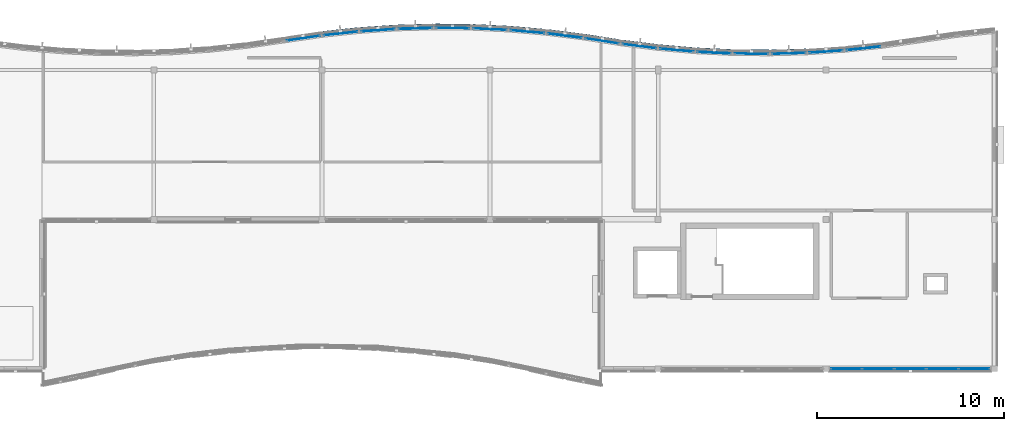
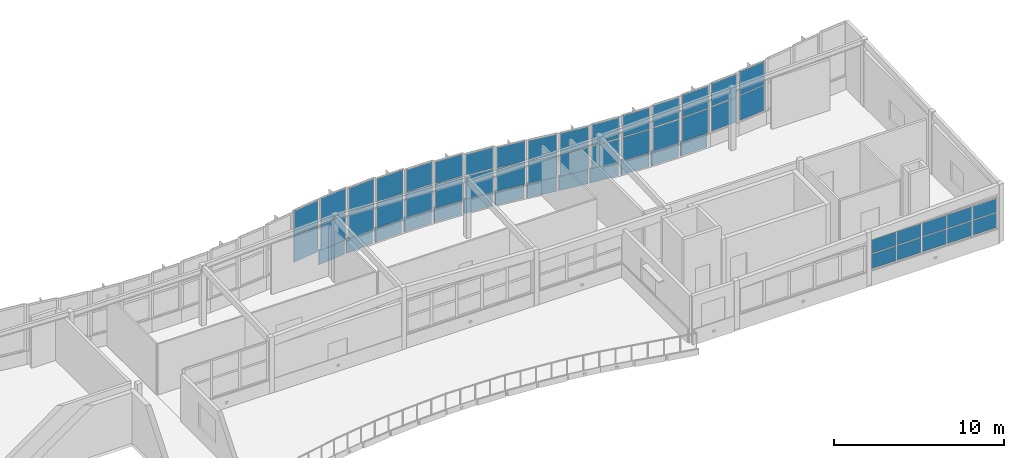
# One storey, part 12 of 20: 55 plates, 17 elements without a shape of their own.
"""IFC4 building model written with IfcOpenShell, lengths in metres."""

from ifc_helpers import new_model, si_unit, direction, frame, origin, origin_2d, place, context, subcontext, project, spatial, rectangle, extrude, material, layer, layer_set, type_object, element, aggregate, save


model = new_model("IFC4")

# Units and contexts
model_context = context("Model", 3, precision=1e-05, world=origin(), true_north=direction((0.0, 1.0)))
body_context = subcontext(model_context, "Body", "Model", "MODEL_VIEW")
ifc_project = project(units=[si_unit("LENGTHUNIT", "METRE"), si_unit("AREAUNIT", "SQUARE_METRE"), si_unit("VOLUMEUNIT", "CUBIC_METRE"), si_unit("PLANEANGLEUNIT", "RADIAN"), si_unit("MASSUNIT", "GRAM", prefix="KILO")], contexts=[model_context])

# Site, building, storey
site_placement = place(None, origin())
site = spatial("IfcSite", under=ifc_project, at=site_placement, CompositionType="ELEMENT")
building_placement = place(site_placement, origin())
building = spatial("IfcBuilding", under=site, at=building_placement, Name="Tonlespit Floodbar School", CompositionType="ELEMENT")
storey_placement = place(building_placement, frame((0.0, 0.0, 20.10009765625)))
storey = spatial("IfcBuildingStorey", under=building, at=storey_placement, Name="L05", CompositionType="ELEMENT", Elevation=20.10009765625)

# Curtain wall, plates
ifc_material_1 = material(Name="Anodised Aluminium", Category="aluminium")
ifc_layer_1 = layer(ifc_material_1, 0.159912109375)
ifc_layer_set_1 = layer_set([ifc_layer_1], Name="Anodised Aluminium")
curtain_wall_type_1 = type_object("IfcCurtainWallType", Name="CurtainWall_1950x3800", PredefinedType="NOTDEFINED", material=ifc_layer_set_1)
curtain_wall_1_placement = place(storey_placement, origin())
curtain_wall_1 = element("IfcCurtainWall", 1, at=curtain_wall_1_placement, inside=storey, type_object=curtain_wall_type_1, Name="L05 unitised curtain wall 0225", PredefinedType="NOTDEFINED")
ifc_material_2 = material(Name="Laminated Low-E Glass", Category="glass")
ifc_layer_2 = layer(ifc_material_2, 0.028076171875)
ifc_layer_set_2 = layer_set([ifc_layer_2], Name="Laminated Low-E Glass")
plate_type_1 = type_object("IfcPlateType", Name="CW_Panel_Glaz_28", PredefinedType="CURTAIN_PANEL", material=ifc_layer_set_2)
plate_1_placement = place(storey_placement, frame((79.0, 121.69580078125, 1.014892578125), z_axis=(0.0, 0.0, 1.0), x_axis=(0.989541561858, 0.144248041079, 0.0)))
plate_1 = element("IfcPlate", 2, at=plate_1_placement, type_object=plate_type_1, Name="CW-10 panel 1.1", PredefinedType="CURTAIN_PANEL", context=body_context, shape_type="SweptSolid", body=[
    extrude(rectangle(XDim=1.81103515625, YDim=0.028076171875, at=origin_2d()), origin(), (0.0, 0.0, 1.0), 1.88916015625),
])
plate_2_placement = place(storey_placement, frame((79.0, 121.69580078125, 2.96923828125), z_axis=(0.0, 0.0, 1.0), x_axis=(0.989541561858, 0.144248041079, 0.0)))
plate_2 = element("IfcPlate", 3, at=plate_2_placement, type_object=plate_type_1, Name="CW-10 panel 1.2", PredefinedType="CURTAIN_PANEL", context=body_context, shape_type="SweptSolid", body=[
    extrude(rectangle(XDim=1.81103515625, YDim=0.028076171875, at=origin_2d()), origin(), (0.0, 0.0, 1.0), 1.736083984375),
])
aggregate(curtain_wall_1, [plate_1, plate_2])

ifc_layer_3 = layer(ifc_material_1, 0.159912109375)
ifc_layer_set_3 = layer_set([ifc_layer_3], Name="Anodised Aluminium")
curtain_wall_type_2 = type_object("IfcCurtainWallType", Name="CurtainWall_1900x3550", PredefinedType="NOTDEFINED", material=ifc_layer_set_3)
curtain_wall_2_placement = place(storey_placement, origin())
curtain_wall_2 = element("IfcCurtainWall", 4, at=curtain_wall_2_placement, inside=storey, type_object=curtain_wall_type_2, Name="L05 unitised curtain wall 0229", PredefinedType="NOTDEFINED")
plate_3_placement = place(storey_placement, frame((87.0, 122.2373046875, 1.014892578125), z_axis=(0.0, 0.0, 1.0), x_axis=(0.999954083024, -0.009582893292, 0.0)))
plate_3 = element("IfcPlate", 5, at=plate_3_placement, type_object=plate_type_1, Name="CW-14 panel 1.1", PredefinedType="CURTAIN_PANEL", context=body_context, shape_type="SweptSolid", body=[
    extrude(rectangle(XDim=1.7900390625, YDim=0.028076171875, at=origin_2d()), origin(), (0.0, 0.0, 1.0), 1.75048828125),
])
plate_4_placement = place(storey_placement, frame((87.0, 122.2373046875, 2.83056640625), z_axis=(0.0, 0.0, 1.0), x_axis=(0.999954083024, -0.009582893292, 0.0)))
plate_4 = element("IfcPlate", 6, at=plate_4_placement, type_object=plate_type_1, Name="CW-14 panel 1.2", PredefinedType="CURTAIN_PANEL", context=body_context, shape_type="SweptSolid", body=[
    extrude(rectangle(XDim=1.7900390625, YDim=0.028076171875, at=origin_2d()), origin(), (0.0, 0.0, 1.0), 1.608154296875),
])
aggregate(curtain_wall_2, [plate_3, plate_4])

ifc_layer_4 = layer(ifc_material_1, 0.159912109375)
ifc_layer_set_4 = layer_set([ifc_layer_4], Name="Anodised Aluminium")
curtain_wall_type_3 = type_object("IfcCurtainWallType", Name="CurtainWall_1950x3200", PredefinedType="NOTDEFINED", material=ifc_layer_set_4)
curtain_wall_3_placement = place(storey_placement, origin())
curtain_wall_3 = element("IfcCurtainWall", 7, at=curtain_wall_3_placement, inside=storey, type_object=curtain_wall_type_3, Name="L05 unitised curtain wall 0233", PredefinedType="NOTDEFINED")
plate_5_placement = place(storey_placement, frame((95.0, 121.550048828125, 1.014892578125), z_axis=(0.0, 0.0, 1.0), x_axis=(0.988102576465, -0.153796288585, 0.0)))
plate_5 = element("IfcPlate", 8, at=plate_5_placement, type_object=plate_type_1, Name="CW-17 panel 1.1", PredefinedType="CURTAIN_PANEL", context=body_context, shape_type="SweptSolid", body=[
    extrude(rectangle(XDim=1.814208984375, YDim=0.028076171875, at=origin_2d()), origin(), (0.0, 0.0, 1.0), 1.5712890625),
])
plate_6_placement = place(storey_placement, frame((95.0, 121.550048828125, 2.651123046875), z_axis=(0.0, 0.0, 1.0), x_axis=(0.988102576465, -0.153796288585, 0.0)))
plate_6 = element("IfcPlate", 9, at=plate_6_placement, type_object=plate_type_1, Name="CW-17 panel 1.2", PredefinedType="CURTAIN_PANEL", context=body_context, shape_type="SweptSolid", body=[
    extrude(rectangle(XDim=1.814208984375, YDim=0.028076171875, at=origin_2d()), origin(), (0.0, 0.0, 1.0), 1.44287109375),
])
aggregate(curtain_wall_3, [plate_5, plate_6])

ifc_layer_5 = layer(ifc_material_1, 0.159912109375)
ifc_layer_set_5 = layer_set([ifc_layer_5], Name="Anodised Aluminium")
curtain_wall_type_4 = type_object("IfcCurtainWallType", Name="CurtainWall_1900x3400", PredefinedType="NOTDEFINED", material=ifc_layer_set_5)
curtain_wall_4_placement = place(storey_placement, origin())
curtain_wall_4 = element("IfcCurtainWall", 10, at=curtain_wall_4_placement, inside=storey, type_object=curtain_wall_type_4, Name="L05 unitised curtain wall 0237", PredefinedType="NOTDEFINED")
plate_7_placement = place(storey_placement, frame((103.0, 120.862548828125, 1.014892578125), z_axis=(0.0, 0.0, 1.0), x_axis=(0.999954083024, -0.009582893292, 0.0)))
plate_7 = element("IfcPlate", 11, at=plate_7_placement, type_object=plate_type_1, Name="CW-19 panel 1.1", PredefinedType="CURTAIN_PANEL", context=body_context, shape_type="SweptSolid", body=[
    extrude(rectangle(XDim=1.7900390625, YDim=0.028076171875, at=origin_2d()), origin(), (0.0, 0.0, 1.0), 1.673828125),
])
plate_8_placement = place(storey_placement, frame((103.0, 120.862548828125, 2.75390625), z_axis=(0.0, 0.0, 1.0), x_axis=(0.999954083024, -0.009582893292, 0.0)))
plate_8 = element("IfcPlate", 12, at=plate_8_placement, type_object=plate_type_1, Name="CW-19 panel 1.2", PredefinedType="CURTAIN_PANEL", context=body_context, shape_type="SweptSolid", body=[
    extrude(rectangle(XDim=1.7900390625, YDim=0.028076171875, at=origin_2d()), origin(), (0.0, 0.0, 1.0), 1.53759765625),
])
aggregate(curtain_wall_4, [plate_7, plate_8])

ifc_layer_6 = layer(ifc_material_1, 0.159912109375)
ifc_layer_set_6 = layer_set([ifc_layer_6], Name="Anodised Aluminium")
curtain_wall_type_5 = type_object("IfcCurtainWallType", Name="CurtainWall_1950x3850", PredefinedType="NOTDEFINED", material=ifc_layer_set_6)
curtain_wall_5_placement = place(storey_placement, origin())
curtain_wall_5 = element("IfcCurtainWall", 13, at=curtain_wall_5_placement, inside=storey, type_object=curtain_wall_type_5, Name="L05 unitised curtain wall 0226", PredefinedType="NOTDEFINED")
ifc_layer_7 = layer(ifc_material_2, 0.031982421875)
ifc_layer_set_7 = layer_set([ifc_layer_7], Name="Laminated Low-E Glass")
plate_type_2 = type_object("IfcPlateType", Name="CW_Panel_Glaz_32", PredefinedType="CURTAIN_PANEL", material=ifc_layer_set_7)
plate_9_placement = place(storey_placement, frame((81.0, 121.947998046875, 1.014892578125), z_axis=(0.0, 0.0, 1.0), x_axis=(0.994388797288, 0.105787143968, 0.0)))
plate_9 = element("IfcPlate", 14, at=plate_9_placement, type_object=plate_type_2, Name="CW-09 panel 1.1", PredefinedType="CURTAIN_PANEL", context=body_context, shape_type="SweptSolid", body=[
    extrude(rectangle(XDim=1.80126953125, YDim=0.031982421875, at=origin_2d()), origin(), (0.0, 0.0, 1.0), 1.900390625),
])
plate_10_placement = place(storey_placement, frame((81.0, 121.947998046875, 2.98046875), z_axis=(0.0, 0.0, 1.0), x_axis=(0.994388797288, 0.105787143968, 0.0)))
plate_10 = element("IfcPlate", 15, at=plate_10_placement, type_object=plate_type_2, Name="CW-09 panel 1.2", PredefinedType="CURTAIN_PANEL", context=body_context, shape_type="SweptSolid", body=[
    extrude(rectangle(XDim=1.80126953125, YDim=0.031982421875, at=origin_2d()), origin(), (0.0, 0.0, 1.0), 1.74658203125),
])
aggregate(curtain_wall_5, [plate_9, plate_10])

ifc_layer_8 = layer(ifc_material_1, 0.159912109375)
ifc_layer_set_8 = layer_set([ifc_layer_8], Name="Anodised Aluminium")
curtain_wall_type_6 = type_object("IfcCurtainWallType", Name="CurtainWall_1900x3450", PredefinedType="NOTDEFINED", material=ifc_layer_set_8)
curtain_wall_6_placement = place(storey_placement, origin())
curtain_wall_6 = element("IfcCurtainWall", 16, at=curtain_wall_6_placement, inside=storey, type_object=curtain_wall_type_6, Name="L05 unitised curtain wall 0230", PredefinedType="NOTDEFINED")
plate_11_placement = place(storey_placement, frame((89.0, 122.1796875, 1.0146484375), z_axis=(0.0, 0.0, 1.0), x_axis=(0.998841500616, -0.048121270216, 0.0)))
plate_11 = element("IfcPlate", 17, at=plate_11_placement, type_object=plate_type_2, Name="CW-23 panel 1.1", PredefinedType="CURTAIN_PANEL", context=body_context, shape_type="SweptSolid", body=[
    extrude(rectangle(XDim=1.792236328125, YDim=0.031982421875, at=origin_2d()), origin(), (0.0, 0.0, 1.0), 1.697021484375),
])
plate_12_placement = place(storey_placement, frame((89.0, 122.1796875, 2.77685546875), z_axis=(0.0, 0.0, 1.0), x_axis=(0.998841500616, -0.048121270216, 0.0)))
plate_12 = element("IfcPlate", 18, at=plate_12_placement, type_object=plate_type_2, Name="CW-23 panel 1.2", PredefinedType="CURTAIN_PANEL", context=body_context, shape_type="SweptSolid", body=[
    extrude(rectangle(XDim=1.792236328125, YDim=0.031982421875, at=origin_2d()), origin(), (0.0, 0.0, 1.0), 1.558837890625),
])
aggregate(curtain_wall_6, [plate_11, plate_12])

curtain_wall_7_placement = place(storey_placement, origin())
curtain_wall_7 = element("IfcCurtainWall", 19, at=curtain_wall_7_placement, inside=storey, type_object=curtain_wall_type_3, Name="L05 unitised curtain wall 0234", PredefinedType="NOTDEFINED")
plate_13_placement = place(storey_placement, frame((97.0, 121.268310546875, 1.014892578125), z_axis=(0.0, 0.0, 1.0), x_axis=(0.992155002499, -0.125013803299, 0.0)))
plate_13 = element("IfcPlate", 20, at=plate_13_placement, type_object=plate_type_2, Name="CW-17 panel 1.1", PredefinedType="CURTAIN_PANEL", context=body_context, shape_type="SweptSolid", body=[
    extrude(rectangle(XDim=1.805908203125, YDim=0.031982421875, at=origin_2d()), origin(), (0.0, 0.0, 1.0), 1.5712890625),
])
plate_14_placement = place(storey_placement, frame((97.0, 121.268310546875, 2.651123046875), z_axis=(0.0, 0.0, 1.0), x_axis=(0.992155002499, -0.125013803299, 0.0)))
plate_14 = element("IfcPlate", 21, at=plate_14_placement, type_object=plate_type_2, Name="CW-17 panel 1.2", PredefinedType="CURTAIN_PANEL", context=body_context, shape_type="SweptSolid", body=[
    extrude(rectangle(XDim=1.805908203125, YDim=0.031982421875, at=origin_2d()), origin(), (0.0, 0.0, 1.0), 1.44287109375),
])
aggregate(curtain_wall_7, [plate_13, plate_14])

ifc_layer_9 = layer(ifc_material_1, 0.159912109375)
ifc_layer_set_9 = layer_set([ifc_layer_9], Name="Anodised Aluminium")
curtain_wall_type_7 = type_object("IfcCurtainWallType", Name="CurtainWall_1900x3500", PredefinedType="NOTDEFINED", material=ifc_layer_set_9)
curtain_wall_8_placement = place(storey_placement, origin())
curtain_wall_8 = element("IfcCurtainWall", 22, at=curtain_wall_8_placement, inside=storey, type_object=curtain_wall_type_7, Name="L05 unitised curtain wall 0238", PredefinedType="NOTDEFINED")
plate_15_placement = place(storey_placement, frame((105.0, 120.8818359375, 1.01513671875), z_axis=(0.0, 0.0, 1.0), x_axis=(0.999585477883, 0.028790144226, 0.0)))
plate_15 = element("IfcPlate", 23, at=plate_15_placement, type_object=plate_type_2, Name="CW-20 panel 1.1", PredefinedType="CURTAIN_PANEL", context=body_context, shape_type="SweptSolid", body=[
    extrude(rectangle(XDim=1.790771484375, YDim=0.031982421875, at=origin_2d()), origin(), (0.0, 0.0, 1.0), 1.711669921875),
])
plate_16_placement = place(storey_placement, frame((105.0, 120.8818359375, 2.79150390625), z_axis=(0.0, 0.0, 1.0), x_axis=(0.999585477883, 0.028790144226, 0.0)))
plate_16 = element("IfcPlate", 24, at=plate_16_placement, type_object=plate_type_2, Name="CW-20 panel 1.2", PredefinedType="CURTAIN_PANEL", context=body_context, shape_type="SweptSolid", body=[
    extrude(rectangle(XDim=1.790771484375, YDim=0.031982421875, at=origin_2d()), origin(), (0.0, 0.0, 1.0), 1.572509765625),
])
aggregate(curtain_wall_8, [plate_15, plate_16])

ifc_layer_10 = layer(ifc_material_1, 0.159912109375)
ifc_layer_set_10 = layer_set([ifc_layer_10], Name="Anodised Aluminium")
curtain_wall_type_8 = type_object("IfcCurtainWallType", Name="CurtainWall_1900x3750", PredefinedType="NOTDEFINED", material=ifc_layer_set_10)
curtain_wall_9_placement = place(storey_placement, origin())
curtain_wall_9 = element("IfcCurtainWall", 25, at=curtain_wall_9_placement, inside=storey, type_object=curtain_wall_type_8, Name="L05 unitised curtain wall 0227", PredefinedType="NOTDEFINED")
ifc_layer_11 = layer(ifc_material_2, 0.035888671875)
ifc_layer_set_11 = layer_set([ifc_layer_11], Name="Laminated Low-E Glass")
plate_type_3 = type_object("IfcPlateType", Name="CW_Panel_Glaz_36", PredefinedType="CURTAIN_PANEL", material=ifc_layer_set_11)
plate_17_placement = place(storey_placement, frame((83.0, 122.121826171875, 1.014892578125), z_axis=(0.0, 0.0, 1.0), x_axis=(0.99773010165, 0.067339767311, 0.0)))
plate_17 = element("IfcPlate", 26, at=plate_17_placement, type_object=plate_type_3, Name="CW-11 panel 1.1", PredefinedType="CURTAIN_PANEL", context=body_context, shape_type="SweptSolid", body=[
    extrude(rectangle(XDim=1.794677734375, YDim=0.035888671875, at=origin_2d()), origin(), (0.0, 0.0, 1.0), 1.85205078125),
])
plate_18_placement = place(storey_placement, frame((83.0, 122.121826171875, 2.93212890625), z_axis=(0.0, 0.0, 1.0), x_axis=(0.99773010165, 0.067339767311, 0.0)))
plate_18 = element("IfcPlate", 27, at=plate_18_placement, type_object=plate_type_3, Name="CW-11 panel 1.2", PredefinedType="CURTAIN_PANEL", context=body_context, shape_type="SweptSolid", body=[
    extrude(rectangle(XDim=1.794677734375, YDim=0.035888671875, at=origin_2d()), origin(), (0.0, 0.0, 1.0), 1.7021484375),
])
aggregate(curtain_wall_9, [plate_17, plate_18])

ifc_layer_12 = layer(ifc_material_1, 0.159912109375)
ifc_layer_set_12 = layer_set([ifc_layer_12], Name="Anodised Aluminium")
curtain_wall_type_9 = type_object("IfcCurtainWallType", Name="CurtainWall_1950x3350", PredefinedType="NOTDEFINED", material=ifc_layer_set_12)
curtain_wall_10_placement = place(storey_placement, origin())
curtain_wall_10 = element("IfcCurtainWall", 28, at=curtain_wall_10_placement, inside=storey, type_object=curtain_wall_type_9, Name="L05 unitised curtain wall 0231", PredefinedType="NOTDEFINED")
plate_19_placement = place(storey_placement, frame((91.0, 122.044677734375, 1.014892578125), z_axis=(0.0, 0.0, 1.0), x_axis=(0.996249148412, -0.086531117454, 0.0)))
plate_19 = element("IfcPlate", 29, at=plate_19_placement, type_object=plate_type_3, Name="CW-16 panel 1.1", PredefinedType="CURTAIN_PANEL", context=body_context, shape_type="SweptSolid", body=[
    extrude(rectangle(XDim=1.797607421875, YDim=0.035888671875, at=origin_2d()), origin(), (0.0, 0.0, 1.0), 1.6416015625),
])
plate_20_placement = place(storey_placement, frame((91.0, 122.044677734375, 2.7216796875), z_axis=(0.0, 0.0, 1.0), x_axis=(0.996249148412, -0.086531117454, 0.0)))
plate_20 = element("IfcPlate", 30, at=plate_20_placement, type_object=plate_type_3, Name="CW-16 panel 1.2", PredefinedType="CURTAIN_PANEL", context=body_context, shape_type="SweptSolid", body=[
    extrude(rectangle(XDim=1.797607421875, YDim=0.035888671875, at=origin_2d()), origin(), (0.0, 0.0, 1.0), 1.5078125),
])
aggregate(curtain_wall_10, [plate_19, plate_20])

ifc_layer_13 = layer(ifc_material_1, 0.159912109375)
ifc_layer_set_13 = layer_set([ifc_layer_13], Name="Anodised Aluminium")
curtain_wall_type_10 = type_object("IfcCurtainWallType", Name="CurtainWall_1950x3250", PredefinedType="NOTDEFINED", material=ifc_layer_set_13)
curtain_wall_11_placement = place(storey_placement, origin())
curtain_wall_11 = element("IfcCurtainWall", 31, at=curtain_wall_11_placement, inside=storey, type_object=curtain_wall_type_10, Name="L05 unitised curtain wall 0235", PredefinedType="NOTDEFINED")
plate_21_placement = place(storey_placement, frame((99.0, 121.055419921875, 1.0146484375), z_axis=(0.0, 0.0, 1.0), x_axis=(0.996249148412, -0.086531117454, 0.0)))
plate_21 = element("IfcPlate", 32, at=plate_21_placement, type_object=plate_type_3, Name="CW-24 panel 1.1", PredefinedType="CURTAIN_PANEL", context=body_context, shape_type="SweptSolid", body=[
    extrude(rectangle(XDim=1.797607421875, YDim=0.035888671875, at=origin_2d()), origin(), (0.0, 0.0, 1.0), 1.603759765625),
])
plate_22_placement = place(storey_placement, frame((99.0, 121.055419921875, 2.68359375), z_axis=(0.0, 0.0, 1.0), x_axis=(0.996249148412, -0.086531117454, 0.0)))
plate_22 = element("IfcPlate", 33, at=plate_22_placement, type_object=plate_type_3, Name="CW-24 panel 1.2", PredefinedType="CURTAIN_PANEL", context=body_context, shape_type="SweptSolid", body=[
    extrude(rectangle(XDim=1.797607421875, YDim=0.035888671875, at=origin_2d()), origin(), (0.0, 0.0, 1.0), 1.472900390625),
])
aggregate(curtain_wall_11, [plate_21, plate_22])

curtain_wall_12_placement = place(storey_placement, origin())
curtain_wall_12 = element("IfcCurtainWall", 34, at=curtain_wall_12_placement, inside=storey, type_object=curtain_wall_type_2, Name="L05 unitised curtain wall 0239", PredefinedType="NOTDEFINED")
plate_23_placement = place(storey_placement, frame((107.0, 120.978271484375, 1.0146484375), z_axis=(0.0, 0.0, 1.0), x_axis=(0.99773010165, 0.067339767311, 0.0)))
plate_23 = element("IfcPlate", 35, at=plate_23_placement, type_object=plate_type_3, Name="CW-14 panel 1.1", PredefinedType="CURTAIN_PANEL", context=body_context, shape_type="SweptSolid", body=[
    extrude(rectangle(XDim=1.794677734375, YDim=0.035888671875, at=origin_2d()), origin(), (0.0, 0.0, 1.0), 1.751220703125),
])
plate_24_placement = place(storey_placement, frame((107.0, 120.978271484375, 2.8310546875), z_axis=(0.0, 0.0, 1.0), x_axis=(0.99773010165, 0.067339767311, 0.0)))
plate_24 = element("IfcPlate", 36, at=plate_24_placement, type_object=plate_type_3, Name="CW-14 panel 1.2", PredefinedType="CURTAIN_PANEL", context=body_context, shape_type="SweptSolid", body=[
    extrude(rectangle(XDim=1.794677734375, YDim=0.035888671875, at=origin_2d()), origin(), (0.0, 0.0, 1.0), 1.60888671875),
])
aggregate(curtain_wall_12, [plate_23, plate_24])

ifc_layer_14 = layer(ifc_material_1, 0.159912109375)
ifc_layer_set_14 = layer_set([ifc_layer_14], Name="Anodised Aluminium")
curtain_wall_type_11 = type_object("IfcCurtainWallType", Name="CurtainWall_1900x3650", PredefinedType="NOTDEFINED", material=ifc_layer_set_14)
curtain_wall_13_placement = place(storey_placement, origin())
curtain_wall_13 = element("IfcCurtainWall", 37, at=curtain_wall_13_placement, inside=storey, type_object=curtain_wall_type_11, Name="L05 unitised curtain wall 0228", PredefinedType="NOTDEFINED")
ifc_layer_15 = layer(ifc_material_2, 0.0419921875)
ifc_layer_set_15 = layer_set([ifc_layer_15], Name="Laminated Low-E Glass")
plate_type_4 = type_object("IfcPlateType", Name="CW_Panel_Glaz_42", PredefinedType="CURTAIN_PANEL", material=ifc_layer_set_15)
plate_25_placement = place(storey_placement, frame((85.0, 122.21826171875, 1.01513671875), z_axis=(0.0, 0.0, 1.0), x_axis=(0.999585477883, 0.028790144226, 0.0)))
plate_25 = element("IfcPlate", 38, at=plate_25_placement, type_object=plate_type_4, Name="CW-12 panel 1.1", PredefinedType="CURTAIN_PANEL", context=body_context, shape_type="SweptSolid", body=[
    extrude(rectangle(XDim=1.790771484375, YDim=0.0419921875, at=origin_2d()), origin(), (0.0, 0.0, 1.0), 1.802001953125),
])
plate_26_placement = place(storey_placement, frame((85.0, 122.21826171875, 2.8818359375), z_axis=(0.0, 0.0, 1.0), x_axis=(0.999585477883, 0.028790144226, 0.0)))
plate_26 = element("IfcPlate", 39, at=plate_26_placement, type_object=plate_type_4, Name="CW-12 panel 1.2", PredefinedType="CURTAIN_PANEL", context=body_context, shape_type="SweptSolid", body=[
    extrude(rectangle(XDim=1.790771484375, YDim=0.0419921875, at=origin_2d()), origin(), (0.0, 0.0, 1.0), 1.656005859375),
])
aggregate(curtain_wall_13, [plate_25, plate_26])

curtain_wall_14_placement = place(storey_placement, origin())
curtain_wall_14 = element("IfcCurtainWall", 40, at=curtain_wall_14_placement, inside=storey, type_object=curtain_wall_type_10, Name="L05 unitised curtain wall 0232", PredefinedType="NOTDEFINED")
plate_27_placement = place(storey_placement, frame((93.0, 121.831787109375, 1.01513671875), z_axis=(0.0, 0.0, 1.0), x_axis=(0.992155002499, -0.125013803299, 0.0)))
plate_27 = element("IfcPlate", 41, at=plate_27_placement, type_object=plate_type_4, Name="CW-24 panel 1.1", PredefinedType="CURTAIN_PANEL", context=body_context, shape_type="SweptSolid", body=[
    extrude(rectangle(XDim=1.805908203125, YDim=0.0419921875, at=origin_2d()), origin(), (0.0, 0.0, 1.0), 1.584716796875),
])
plate_28_placement = place(storey_placement, frame((93.0, 121.831787109375, 2.66455078125), z_axis=(0.0, 0.0, 1.0), x_axis=(0.992155002499, -0.125013803299, 0.0)))
plate_28 = element("IfcPlate", 42, at=plate_28_placement, type_object=plate_type_4, Name="CW-24 panel 1.2", PredefinedType="CURTAIN_PANEL", context=body_context, shape_type="SweptSolid", body=[
    extrude(rectangle(XDim=1.805908203125, YDim=0.0419921875, at=origin_2d()), origin(), (0.0, 0.0, 1.0), 1.455322265625),
])
aggregate(curtain_wall_14, [plate_27, plate_28])

ifc_layer_16 = layer(ifc_material_1, 0.159912109375)
ifc_layer_set_16 = layer_set([ifc_layer_16], Name="Anodised Aluminium")
curtain_wall_type_12 = type_object("IfcCurtainWallType", Name="CurtainWall_1900x3350", PredefinedType="NOTDEFINED", material=ifc_layer_set_16)
curtain_wall_15_placement = place(storey_placement, origin())
curtain_wall_15 = element("IfcCurtainWall", 43, at=curtain_wall_15_placement, inside=storey, type_object=curtain_wall_type_12, Name="L05 unitised curtain wall 0236", PredefinedType="NOTDEFINED")
plate_29_placement = place(storey_placement, frame((101.0, 120.92041015625, 1.0146484375), z_axis=(0.0, 0.0, 1.0), x_axis=(0.998841500616, -0.048121270216, 0.0)))
plate_29 = element("IfcPlate", 44, at=plate_29_placement, type_object=plate_type_4, Name="CW-25 panel 1.1", PredefinedType="CURTAIN_PANEL", context=body_context, shape_type="SweptSolid", body=[
    extrude(rectangle(XDim=1.792236328125, YDim=0.0419921875, at=origin_2d()), origin(), (0.0, 0.0, 1.0), 1.637939453125),
])
plate_30_placement = place(storey_placement, frame((101.0, 120.92041015625, 2.7177734375), z_axis=(0.0, 0.0, 1.0), x_axis=(0.998841500616, -0.048121270216, 0.0)))
plate_30 = element("IfcPlate", 45, at=plate_30_placement, type_object=plate_type_4, Name="CW-25 panel 1.2", PredefinedType="CURTAIN_PANEL", context=body_context, shape_type="SweptSolid", body=[
    extrude(rectangle(XDim=1.792236328125, YDim=0.0419921875, at=origin_2d()), origin(), (0.0, 0.0, 1.0), 1.50439453125),
])
aggregate(curtain_wall_15, [plate_29, plate_30])

ifc_layer_17 = layer(ifc_material_1, 0.159912109375)
ifc_layer_set_17 = layer_set([ifc_layer_17], Name="Anodised Aluminium")
curtain_wall_type_13 = type_object("IfcCurtainWallType", Name="CurtainWall_1950x3650", PredefinedType="NOTDEFINED", material=ifc_layer_set_17)
curtain_wall_16_placement = place(storey_placement, origin())
curtain_wall_16 = element("IfcCurtainWall", 46, at=curtain_wall_16_placement, inside=storey, type_object=curtain_wall_type_13, Name="L05 unitised curtain wall 0240", PredefinedType="NOTDEFINED")
plate_31_placement = place(storey_placement, frame((109.0, 121.152099609375, 1.01513671875), z_axis=(0.0, 0.0, 1.0), x_axis=(0.994388797288, 0.105787143968, 0.0)))
plate_31 = element("IfcPlate", 47, at=plate_31_placement, type_object=plate_type_4, Name="CW-26 panel 1.1", PredefinedType="CURTAIN_PANEL", context=body_context, shape_type="SweptSolid", body=[
    extrude(rectangle(XDim=1.80126953125, YDim=0.0419921875, at=origin_2d()), origin(), (0.0, 0.0, 1.0), 1.792236328125),
])
plate_32_placement = place(storey_placement, frame((109.0, 121.152099609375, 2.872314453125), z_axis=(0.0, 0.0, 1.0), x_axis=(0.994388797288, 0.105787143968, 0.0)))
plate_32 = element("IfcPlate", 48, at=plate_32_placement, type_object=plate_type_4, Name="CW-26 panel 1.2", PredefinedType="CURTAIN_PANEL", context=body_context, shape_type="SweptSolid", body=[
    extrude(rectangle(XDim=1.80126953125, YDim=0.0419921875, at=origin_2d()), origin(), (0.0, 0.0, 1.0), 1.64697265625),
])
aggregate(curtain_wall_16, [plate_31, plate_32])

ifc_layer_18 = layer(ifc_material_1, 0.159912109375)
ifc_layer_set_18 = layer_set([ifc_layer_18], Name="Anodised Aluminium")
curtain_wall_type_14 = type_object("IfcCurtainWallType", Name="CurtainWall_8600x2200", PredefinedType="NOTDEFINED", material=ifc_layer_set_18)
curtain_wall_17_placement = place(storey_placement, origin())
curtain_wall_17 = element("IfcCurtainWall", 49, at=curtain_wall_17_placement, inside=storey, type_object=curtain_wall_type_14, Name="L05 unitised curtain wall 0244", PredefinedType="NOTDEFINED")
plate_33_placement = place(storey_placement, frame((114.923828125, 104.0, 1.014892578125), z_axis=(0.0, 0.0, 1.0), x_axis=(-1.0, 0.0, 0.0)))
plate_33 = element("IfcPlate", 50, at=plate_33_placement, type_object=plate_type_4, Name="CW-28 panel 1.1", PredefinedType="CURTAIN_PANEL", context=body_context, shape_type="SweptSolid", body=[
    extrude(rectangle(XDim=1.62255859375, YDim=0.0419921875, at=origin_2d()), origin(), (0.0, 0.0, 1.0), 1.04541015625),
])
plate_34_placement = place(storey_placement, frame((114.923828125, 104.0, 2.125244140625), z_axis=(0.0, 0.0, 1.0), x_axis=(-1.0, 0.0, 0.0)))
plate_34 = element("IfcPlate", 51, at=plate_34_placement, type_object=plate_type_4, Name="CW-28 panel 1.2", PredefinedType="CURTAIN_PANEL", context=body_context, shape_type="SweptSolid", body=[
    extrude(rectangle(XDim=1.62255859375, YDim=0.0419921875, at=origin_2d()), origin(), (0.0, 0.0, 1.0), 0.95751953125),
])
plate_35_placement = place(storey_placement, frame((113.219970703125, 104.0, 1.014892578125), z_axis=(0.0, 0.0, 1.0), x_axis=(-1.0, 0.0, 0.0)))
plate_35 = element("IfcPlate", 52, at=plate_35_placement, type_object=plate_type_4, Name="CW-28 panel 2.1", PredefinedType="CURTAIN_PANEL", context=body_context, shape_type="SweptSolid", body=[
    extrude(rectangle(XDim=1.655029296875, YDim=0.0419921875, at=origin_2d()), origin(), (0.0, 0.0, 1.0), 1.04541015625),
])
plate_36_placement = place(storey_placement, frame((113.219970703125, 104.0, 2.125244140625), z_axis=(0.0, 0.0, 1.0), x_axis=(-1.0, 0.0, 0.0)))
plate_36 = element("IfcPlate", 53, at=plate_36_placement, type_object=plate_type_4, Name="CW-28 panel 2.2", PredefinedType="CURTAIN_PANEL", context=body_context, shape_type="SweptSolid", body=[
    extrude(rectangle(XDim=1.655029296875, YDim=0.0419921875, at=origin_2d()), origin(), (0.0, 0.0, 1.0), 0.95751953125),
])
plate_37_placement = place(storey_placement, frame((111.5, 104.0, 1.014892578125), z_axis=(0.0, 0.0, 1.0), x_axis=(-1.0, 0.0, 0.0)))
plate_37 = element("IfcPlate", 54, at=plate_37_placement, type_object=plate_type_4, Name="CW-28 panel 3.1", PredefinedType="CURTAIN_PANEL", context=body_context, shape_type="SweptSolid", body=[
    extrude(rectangle(XDim=1.655029296875, YDim=0.0419921875, at=origin_2d()), origin(), (0.0, 0.0, 1.0), 1.04541015625),
])
plate_38_placement = place(storey_placement, frame((111.5, 104.0, 2.125244140625), z_axis=(0.0, 0.0, 1.0), x_axis=(-1.0, 0.0, 0.0)))
plate_38 = element("IfcPlate", 55, at=plate_38_placement, type_object=plate_type_4, Name="CW-28 panel 3.2", PredefinedType="CURTAIN_PANEL", context=body_context, shape_type="SweptSolid", body=[
    extrude(rectangle(XDim=1.655029296875, YDim=0.0419921875, at=origin_2d()), origin(), (0.0, 0.0, 1.0), 0.95751953125),
])
plate_39_placement = place(storey_placement, frame((109.780029296875, 104.0, 1.014892578125), z_axis=(0.0, 0.0, 1.0), x_axis=(-1.0, 0.0, 0.0)))
plate_39 = element("IfcPlate", 56, at=plate_39_placement, type_object=plate_type_4, Name="CW-28 panel 4.1", PredefinedType="CURTAIN_PANEL", context=body_context, shape_type="SweptSolid", body=[
    extrude(rectangle(XDim=1.655029296875, YDim=0.0419921875, at=origin_2d()), origin(), (0.0, 0.0, 1.0), 1.04541015625),
])
plate_40_placement = place(storey_placement, frame((109.780029296875, 104.0, 2.125244140625), z_axis=(0.0, 0.0, 1.0), x_axis=(-1.0, 0.0, 0.0)))
plate_40 = element("IfcPlate", 57, at=plate_40_placement, type_object=plate_type_4, Name="CW-28 panel 4.2", PredefinedType="CURTAIN_PANEL", context=body_context, shape_type="SweptSolid", body=[
    extrude(rectangle(XDim=1.655029296875, YDim=0.0419921875, at=origin_2d()), origin(), (0.0, 0.0, 1.0), 0.95751953125),
])
plate_41_placement = place(storey_placement, frame((108.076171875, 104.0, 1.014892578125), z_axis=(0.0, 0.0, 1.0), x_axis=(-1.0, 0.0, 0.0)))
plate_41 = element("IfcPlate", 58, at=plate_41_placement, type_object=plate_type_4, Name="CW-28 panel 5.1", PredefinedType="CURTAIN_PANEL", context=body_context, shape_type="SweptSolid", body=[
    extrude(rectangle(XDim=1.62255859375, YDim=0.0419921875, at=origin_2d()), origin(), (0.0, 0.0, 1.0), 1.04541015625),
])
plate_42_placement = place(storey_placement, frame((108.076171875, 104.0, 2.125244140625), z_axis=(0.0, 0.0, 1.0), x_axis=(-1.0, 0.0, 0.0)))
plate_42 = element("IfcPlate", 59, at=plate_42_placement, type_object=plate_type_4, Name="CW-28 panel 5.2", PredefinedType="CURTAIN_PANEL", context=body_context, shape_type="SweptSolid", body=[
    extrude(rectangle(XDim=1.62255859375, YDim=0.0419921875, at=origin_2d()), origin(), (0.0, 0.0, 1.0), 0.95751953125),
])
aggregate(curtain_wall_17, [plate_33, plate_34, plate_35, plate_36, plate_37, plate_38, plate_39, plate_40, plate_41, plate_42])

# Plates
ifc_material_3 = material(Name="White Architectural Aluminium", Category="aluminium")
ifc_layer_19 = layer(ifc_material_3, 0.06494140625)
ifc_layer_set_19 = layer_set([ifc_layer_19], Name="White Architectural Aluminium")
plate_type_5 = type_object("IfcPlateType", Name="FacadeRibbon_White_65", PredefinedType="SHEET", material=ifc_layer_set_19)
plate_43_placement = place(storey_placement, frame((80.980712890625, 122.12890625, -0.1201171875), z_axis=(0.0, 0.0, 1.0), x_axis=(0.99439234017, 0.105753835922, 0.0)))
element("IfcPlate", 60, at=plate_43_placement, inside=storey, type_object=plate_type_5, Name="L05 flowing white street spandrel ribbon 0416", PredefinedType="SHEET", context=body_context, shape_type="SweptSolid", body=[
    extrude(rectangle(XDim=1.851318359375, YDim=0.06494140625, at=origin_2d()), origin(), (0.0, 0.0, 1.0), 1.070068359375),
])
plate_44_placement = place(storey_placement, frame((82.98779296875, 122.303466796875, -0.1201171875), z_axis=(0.0, 0.0, 1.0), x_axis=(0.997729639049, 0.067346621018, 0.0)))
element("IfcPlate", 61, at=plate_44_placement, inside=storey, type_object=plate_type_5, Name="L05 flowing white street spandrel ribbon 0418", PredefinedType="SHEET", context=body_context, shape_type="SweptSolid", body=[
    extrude(rectangle(XDim=1.844482421875, YDim=0.06494140625, at=origin_2d()), origin(), (0.0, 0.0, 1.0), 1.070068359375),
])
plate_45_placement = place(storey_placement, frame((84.994873046875, 122.400146484375, -0.1201171875), z_axis=(0.0, 0.0, 1.0), x_axis=(0.999584110869, 0.02883756748, 0.0)))
element("IfcPlate", 62, at=plate_45_placement, inside=storey, type_object=plate_type_5, Name="L05 flowing white street spandrel ribbon 0420", PredefinedType="SHEET", context=body_context, shape_type="SweptSolid", body=[
    extrude(rectangle(XDim=1.8408203125, YDim=0.06494140625, at=origin_2d()), origin(), (0.0, 0.0, 1.0), 1.070068359375),
])
plate_46_placement = place(storey_placement, frame((87.001708984375, 122.41943359375, -0.1201171875), z_axis=(0.0, 0.0, 1.0), x_axis=(0.999953926969, -0.009599163462, 0.0)))
element("IfcPlate", 63, at=plate_46_placement, inside=storey, type_object=plate_type_5, Name="L05 flowing white street spandrel ribbon 0422", PredefinedType="SHEET", context=body_context, shape_type="SweptSolid", body=[
    extrude(rectangle(XDim=1.840087890625, YDim=0.06494140625, at=origin_2d()), origin(), (0.0, 0.0, 1.0), 1.070068359375),
])
plate_47_placement = place(storey_placement, frame((89.0087890625, 122.361328125, -0.1201171875), z_axis=(0.0, 0.0, 1.0), x_axis=(0.998842769234, -0.048094930587, 0.0)))
element("IfcPlate", 64, at=plate_47_placement, inside=storey, type_object=plate_type_5, Name="L05 flowing white street spandrel ribbon 0424", PredefinedType="SHEET", context=body_context, shape_type="SweptSolid", body=[
    extrude(rectangle(XDim=1.84228515625, YDim=0.06494140625, at=origin_2d()), origin(), (0.0, 0.0, 1.0), 1.070068359375),
])
plate_48_placement = place(storey_placement, frame((91.015869140625, 122.225830078125, -0.1201171875), z_axis=(0.0, 0.0, 1.0), x_axis=(0.996245486492, -0.086573267488, 0.0)))
element("IfcPlate", 65, at=plate_48_placement, inside=storey, type_object=plate_type_5, Name="L05 flowing white street spandrel ribbon 0426", PredefinedType="SHEET", context=body_context, shape_type="SweptSolid", body=[
    extrude(rectangle(XDim=1.847412109375, YDim=0.06494140625, at=origin_2d()), origin(), (0.0, 0.0, 1.0), 1.070068359375),
])
plate_49_placement = place(storey_placement, frame((93.022705078125, 122.01220703125, -0.1201171875), z_axis=(0.0, 0.0, 1.0), x_axis=(0.99215533612, -0.125011155539, 0.0)))
element("IfcPlate", 66, at=plate_49_placement, inside=storey, type_object=plate_type_5, Name="L05 flowing white street spandrel ribbon 0428", PredefinedType="SHEET", context=body_context, shape_type="SweptSolid", body=[
    extrude(rectangle(XDim=1.855712890625, YDim=0.06494140625, at=origin_2d()), origin(), (0.0, 0.0, 1.0), 1.070068359375),
])
plate_50_placement = place(storey_placement, frame((95.028076171875, 121.729736328125, -0.1201171875), z_axis=(0.0, 0.0, 1.0), x_axis=(0.988094768361, -0.153846445322, 0.0)))
element("IfcPlate", 67, at=plate_50_placement, inside=storey, type_object=plate_type_5, Name="L05 flowing white street spandrel ribbon 0430", PredefinedType="SHEET", context=body_context, shape_type="SweptSolid", body=[
    extrude(rectangle(XDim=1.864013671875, YDim=0.06494140625, at=origin_2d()), origin(), (0.0, 0.0, 1.0), 1.070068359375),
])
plate_51_placement = place(storey_placement, frame((97.022705078125, 121.448974609375, -0.1201171875), z_axis=(0.0, 0.0, 1.0), x_axis=(0.99215533612, -0.125011155539, 0.0)))
element("IfcPlate", 68, at=plate_51_placement, inside=storey, type_object=plate_type_5, Name="L05 flowing white street spandrel ribbon 0432", PredefinedType="SHEET", context=body_context, shape_type="SweptSolid", body=[
    extrude(rectangle(XDim=1.855712890625, YDim=0.06494140625, at=origin_2d()), origin(), (0.0, 0.0, 1.0), 1.070068359375),
])
plate_52_placement = place(storey_placement, frame((99.015869140625, 121.23681640625, -0.1201171875), z_axis=(0.0, 0.0, 1.0), x_axis=(0.996245486492, -0.086573267488, 0.0)))
element("IfcPlate", 69, at=plate_52_placement, inside=storey, type_object=plate_type_5, Name="L05 flowing white street spandrel ribbon 0434", PredefinedType="SHEET", context=body_context, shape_type="SweptSolid", body=[
    extrude(rectangle(XDim=1.847412109375, YDim=0.06494140625, at=origin_2d()), origin(), (0.0, 0.0, 1.0), 1.070068359375),
])
plate_53_placement = place(storey_placement, frame((101.0087890625, 121.10205078125, -0.1201171875), z_axis=(0.0, 0.0, 1.0), x_axis=(0.998842769234, -0.048094930587, 0.0)))
element("IfcPlate", 70, at=plate_53_placement, inside=storey, type_object=plate_type_5, Name="L05 flowing white street spandrel ribbon 0436", PredefinedType="SHEET", context=body_context, shape_type="SweptSolid", body=[
    extrude(rectangle(XDim=1.84228515625, YDim=0.06494140625, at=origin_2d()), origin(), (0.0, 0.0, 1.0), 1.070068359375),
])
plate_54_placement = place(storey_placement, frame((103.001708984375, 121.044677734375, -0.1201171875), z_axis=(0.0, 0.0, 1.0), x_axis=(0.999953926969, -0.009599163462, 0.0)))
element("IfcPlate", 71, at=plate_54_placement, inside=storey, type_object=plate_type_5, Name="L05 flowing white street spandrel ribbon 0438", PredefinedType="SHEET", context=body_context, shape_type="SweptSolid", body=[
    extrude(rectangle(XDim=1.840087890625, YDim=0.06494140625, at=origin_2d()), origin(), (0.0, 0.0, 1.0), 1.070068359375),
])
plate_55_placement = place(storey_placement, frame((104.994873046875, 121.063720703125, -0.1201171875), z_axis=(0.0, 0.0, 1.0), x_axis=(0.999584110869, 0.02883756748, 0.0)))
element("IfcPlate", 72, at=plate_55_placement, inside=storey, type_object=plate_type_5, Name="L05 flowing white street spandrel ribbon 0440", PredefinedType="SHEET", context=body_context, shape_type="SweptSolid", body=[
    extrude(rectangle(XDim=1.8408203125, YDim=0.06494140625, at=origin_2d()), origin(), (0.0, 0.0, 1.0), 1.070068359375),
])

save(model, "model.ifc")
